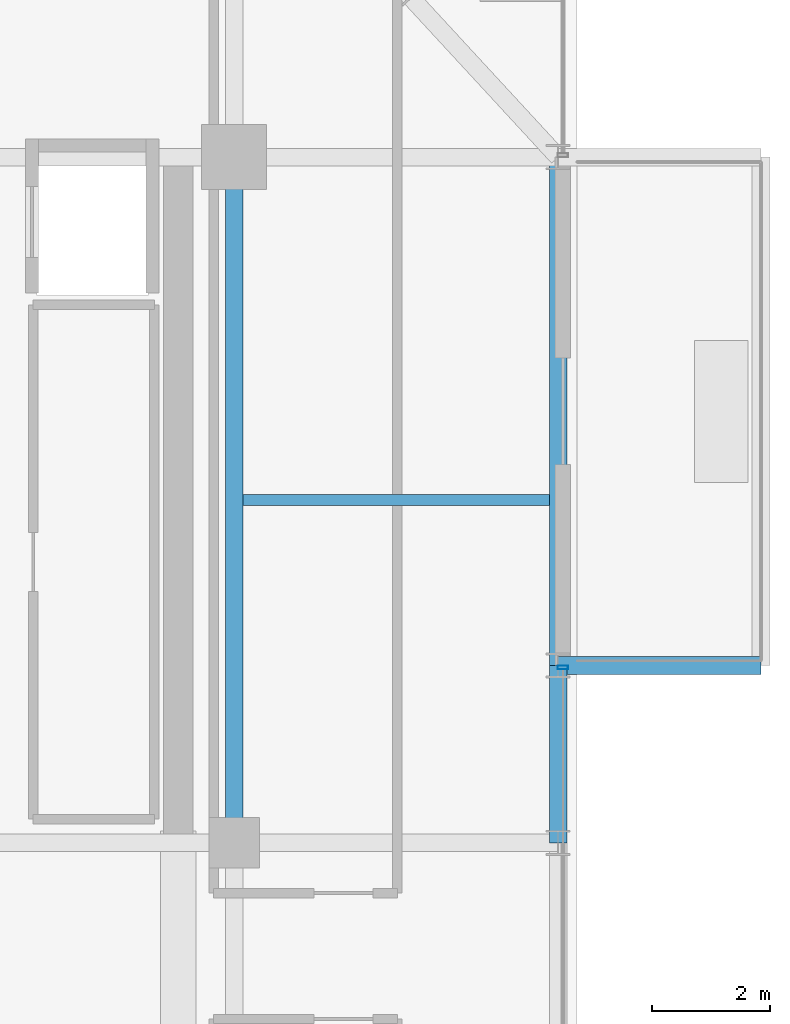
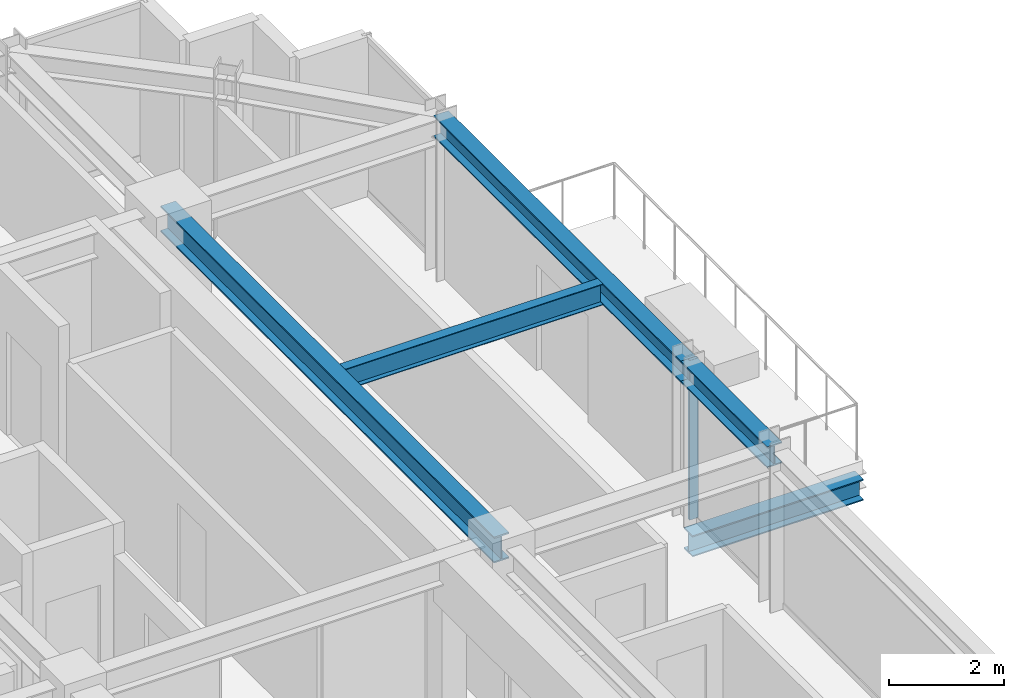
# One storey, part 20 of 31: 5 beams, 1 member, 1 element without a shape of its own.
"""IFC4 building model written with IfcOpenShell, lengths in metres."""

from ifc_helpers import new_model, si_unit, direction, frame, origin, origin_2d, place, context, subcontext, project, spatial, hollow_rectangle, i_section, extrude, source, transform, mapped, material, material_profile, profile_set, type_object, element, aggregate, save


model = new_model("IFC4")

# Units and contexts
model_context = context("Model", 3, precision=1e-05, world=origin(), true_north=direction((0.0, 1.0)))
body_context = subcontext(model_context, "Body", "Model", "MODEL_VIEW")
ifc_project = project(units=[si_unit("LENGTHUNIT", "METRE"), si_unit("AREAUNIT", "SQUARE_METRE"), si_unit("VOLUMEUNIT", "CUBIC_METRE"), si_unit("PLANEANGLEUNIT", "RADIAN"), si_unit("MASSUNIT", "GRAM", prefix="KILO")], contexts=[model_context])

# Site, building, storey
site_placement = place(None, origin())
site = spatial("IfcSite", under=ifc_project, at=site_placement, CompositionType="ELEMENT")
building_placement = place(site_placement, origin())
building = spatial("IfcBuilding", under=site, at=building_placement, Name="Nahalor Promenade Grand Hotel", CompositionType="ELEMENT")
storey_placement = place(building_placement, frame((0.0, 0.0, 192.800048828125)))
storey = spatial("IfcBuildingStorey", under=building, at=storey_placement, Name="L49", CompositionType="ELEMENT", Elevation=192.800048828125)

# Beams
ifc_material_1 = material(Name="Steel S355JR", Category="steel")
ifc_material_profile_1 = material_profile(ifc_material_1, i_section(OverallWidth=0.3, OverallDepth=0.45, WebThickness=0.014, FlangeThickness=0.026, at=origin_2d()), Name="HEB 450")
ifc_profile_set_1 = profile_set([ifc_material_profile_1], Name="Steel S355JR")
beam_type_1 = type_object("IfcBeamType", Name="Beam-Outrigger-HEB450", PredefinedType="BEAM", material=ifc_profile_set_1)
shared_shape_1 = source(origin(), body_context, "Body", "SweptSolid", [
    extrude(i_section(OverallWidth=0.3, OverallDepth=0.45, WebThickness=0.014, FlangeThickness=0.026, at=origin_2d()), origin(), (0.0, 0.0, 1.0), 3.429931640625),
])
beam_1_placement = place(storey_placement, frame((22.47998046875, 8.39990234375, -0.505126953125), z_axis=(1.0, 0.0, 0.0), x_axis=(0.0, 1.0, 0.0)))
element("IfcBeam", 1, at=beam_1_placement, inside=storey, type_object=beam_type_1, Name="BM-L49-BC-02-1", PredefinedType="BEAM", context=body_context, shape_type="MappedRepresentation", body=[
    mapped(shared_shape_1, transform((0.0, 0.0, 0.0), scale=1.0)),
])
ifc_material_profile_2 = material_profile(ifc_material_1, i_section(OverallWidth=0.3, OverallDepth=0.55, WebThickness=0.015, FlangeThickness=0.029, at=origin_2d()), Name="HEB 550")
ifc_profile_set_2 = profile_set([ifc_material_profile_2], Name="Steel S355JR")
beam_type_2 = type_object("IfcBeamType", Name="Beam-Girder-HEB550", PredefinedType="BEAM", material=ifc_profile_set_2)
shared_shape_2 = source(origin(), body_context, "Body", "SweptSolid", [
    extrude(i_section(OverallWidth=0.3, OverallDepth=0.55, WebThickness=0.015, FlangeThickness=0.029, at=origin_2d()), origin(), (0.0, 0.0, 1.0), 11.60009765625),
])
beam_2_placement = place(storey_placement, frame((17.0, 5.39990234375, 3.114990234375), z_axis=(0.0, 1.0, 0.0), x_axis=(-1.0, 0.0, 0.0)))
element("IfcBeam", 2, at=beam_2_placement, inside=storey, type_object=beam_type_2, Name="BM-L49-GY-5-3", PredefinedType="BEAM", context=body_context, shape_type="MappedRepresentation", body=[
    mapped(shared_shape_2, transform((0.0, 0.0, 0.0), scale=1.0)),
])
ifc_material_profile_3 = material_profile(ifc_material_1, i_section(OverallWidth=0.19, OverallDepth=0.45, WebThickness=0.0094, FlangeThickness=0.0146, at=origin_2d()), Name="IPE 450")
ifc_profile_set_3 = profile_set([ifc_material_profile_3], Name="Steel S355JR")
beam_type_3 = type_object("IfcBeamType", Name="Beam-Joist-IPE450", PredefinedType="JOIST", material=ifc_profile_set_3)
shared_shape_3 = source(origin(), body_context, "Body", "SweptSolid", [
    extrude(i_section(OverallWidth=0.19, OverallDepth=0.45, WebThickness=0.0094, FlangeThickness=0.0146, at=origin_2d()), origin(), (0.0, 0.0, 1.0), 5.18017578125),
])
beam_3_placement = place(storey_placement, frame((17.14990234375, 11.199951171875, 3.1650390625), z_axis=(1.0, 0.0, 0.0), x_axis=(0.0, 1.0, 0.0)))
element("IfcBeam", 3, at=beam_3_placement, inside=storey, type_object=beam_type_3, Name="BM-L49-JSE-1-2", PredefinedType="JOIST", context=body_context, shape_type="MappedRepresentation", body=[
    mapped(shared_shape_3, transform((0.0, 0.0, 0.0), scale=1.0)),
])
ifc_material_profile_4 = material_profile(ifc_material_1, i_section(OverallWidth=0.3, OverallDepth=0.45, WebThickness=0.014, FlangeThickness=0.026, at=origin_2d()), Name="HEB 450")
ifc_profile_set_4 = profile_set([ifc_material_profile_4], Name="Steel S355JR")
beam_type_4 = type_object("IfcBeamType", Name="Beam-Spandrel-HEB450", PredefinedType="SPANDREL", material=ifc_profile_set_4)
shared_shape_4 = source(origin(), body_context, "Body", "SweptSolid", [
    extrude(i_section(OverallWidth=0.3, OverallDepth=0.45, WebThickness=0.014, FlangeThickness=0.026, at=origin_2d()), origin(), (0.0, 0.0, 1.0), 8.60009765625),
])
beam_4_placement = place(storey_placement, frame((22.47998046875, 8.39990234375, 3.1650390625), z_axis=(0.0, 1.0, 0.0), x_axis=(-1.0, 0.0, 0.0)))
element("IfcBeam", 4, at=beam_4_placement, inside=storey, type_object=beam_type_4, Name="BM-L49-SP-E-4", PredefinedType="SPANDREL", context=body_context, shape_type="MappedRepresentation", body=[
    mapped(shared_shape_4, transform((0.0, 0.0, 0.0), scale=1.0)),
])
shared_shape_5 = source(origin(), body_context, "Body", "SweptSolid", [
    extrude(i_section(OverallWidth=0.3, OverallDepth=0.45, WebThickness=0.014, FlangeThickness=0.026, at=origin_2d()), origin(), (0.0, 0.0, 1.0), 3.0),
])
beam_5_placement = place(storey_placement, frame((22.47998046875, 5.39990234375, 3.1650390625), z_axis=(0.0, 1.0, 0.0), x_axis=(-1.0, 0.0, 0.0)))
element("IfcBeam", 5, at=beam_5_placement, inside=storey, type_object=beam_type_4, Name="BM-L49-SP-E-3", PredefinedType="SPANDREL", context=body_context, shape_type="MappedRepresentation", body=[
    mapped(shared_shape_5, transform((0.0, 0.0, 0.0), scale=1.0)),
])

# Curtain wall, member
ifc_material_2 = material(Name="Anodised Bronze Aluminium EN AW-6063 T6", Category="aluminium")
curtain_wall_type = type_object("IfcCurtainWallType", Name="CW2 Typical Hotel Flush Bronze Unitised Curtain Wall", PredefinedType="USERDEFINED", material=ifc_material_2)
curtain_wall_placement = place(storey_placement, origin())
curtain_wall = element("IfcCurtainWall", 6, at=curtain_wall_placement, inside=storey, type_object=curtain_wall_type, Name="L49 Curtain Wall CW-L49-E-1", ObjectType="UNITISED_CURTAIN_WALL", PredefinedType="USERDEFINED")
ifc_material_profile_5 = material_profile(ifc_material_2, hollow_rectangle(XDim=0.065, YDim=0.18, WallThickness=0.004, at=origin_2d()), Name="CWM 65x180x4")
ifc_profile_set_5 = profile_set([ifc_material_profile_5], Name="Anodised Bronze Aluminium EN AW-6063 T6")
member_type = type_object("IfcMemberType", Name="CWM2 Typical Bronze Mullion 65x180", PredefinedType="MULLION", material=ifc_profile_set_5)
shared_shape_6 = source(origin(), body_context, "Body", "SweptSolid", [
    extrude(hollow_rectangle(XDim=0.065, YDim=0.18, WallThickness=0.004, at=origin_2d()), origin(), (0.0, 0.0, 1.0), 3.389892578125),
])
member_placement = place(storey_placement, frame((22.56005859375, 8.367431640625, 0.0), z_axis=(0.0, 0.0, 1.0), x_axis=(0.0, 1.0, 0.0)))
member = element("IfcMember", 7, at=member_placement, type_object=member_type, Name="CW-L49-E-1 Mullion 2", PredefinedType="MULLION", context=body_context, shape_type="MappedRepresentation", body=[
    mapped(shared_shape_6, transform((0.0, 0.0, 0.0), scale=1.0)),
])
aggregate(curtain_wall, [member])

save(model, "model.ifc")
